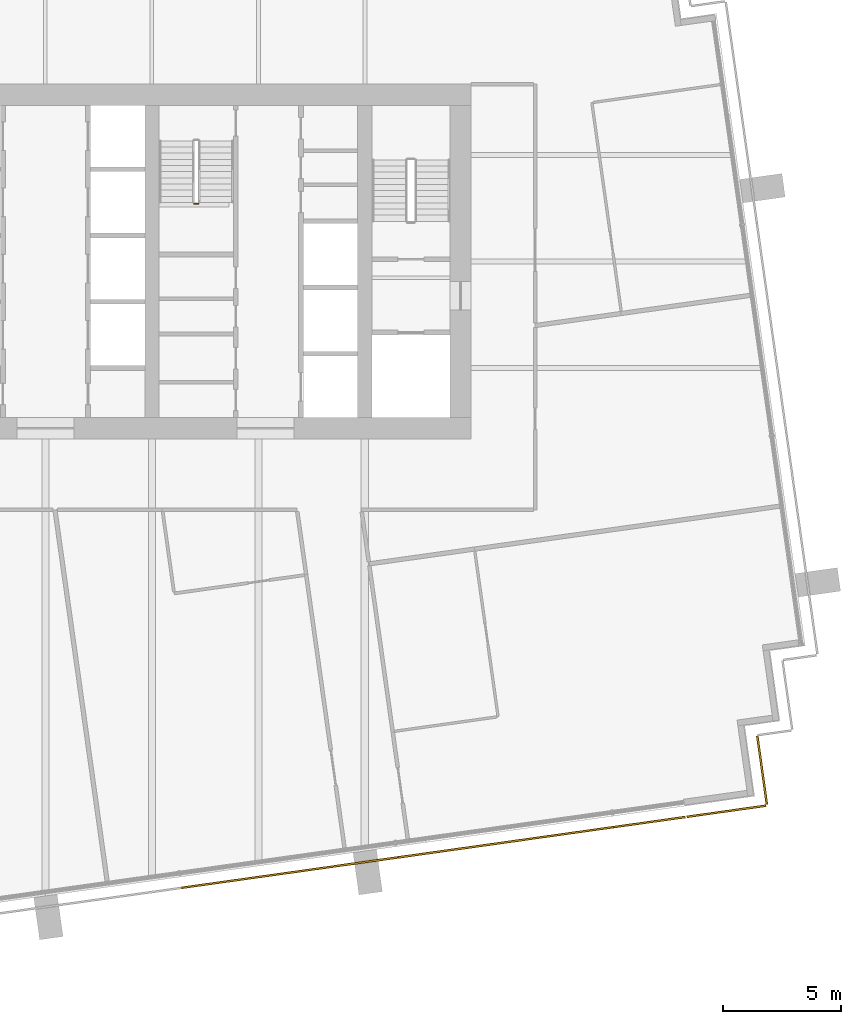
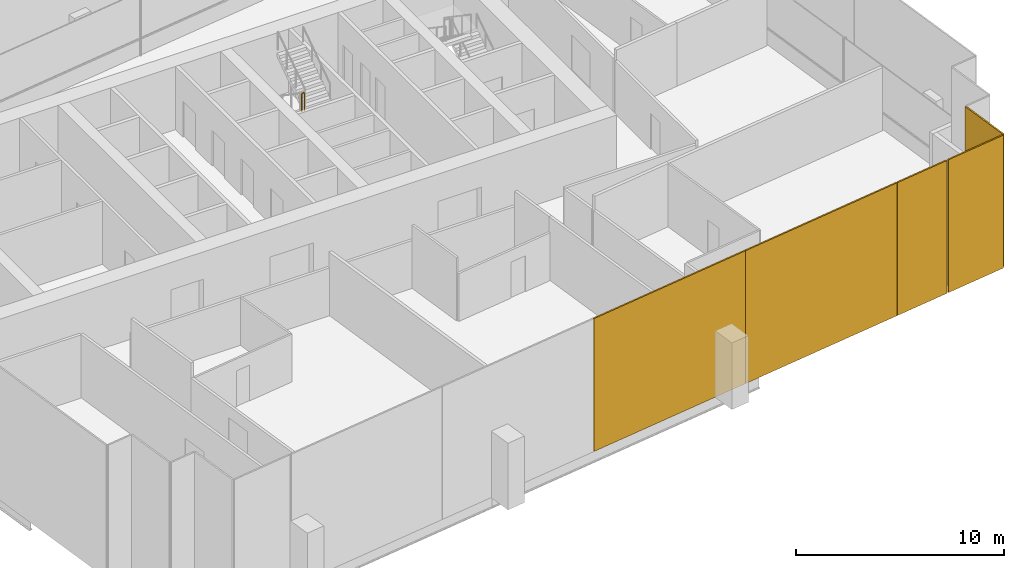
# One storey, part 14 of 17: 5 coverings, 1 railing.
"""IFC4 building model written with IfcOpenShell, lengths in metres."""

from ifc_helpers import new_model, si_unit, direction, frame, origin, origin_2d, place, context, subcontext, project, spatial, rectangle, extrude, material, layer, layer_set, type_object, element, save


model = new_model("IFC4")

# Units and contexts
model_context = context("Model", 3, precision=1e-05, world=origin(), true_north=direction((0.0, 1.0)))
body_context = subcontext(model_context, "Body", "Model", "MODEL_VIEW")
ifc_project = project(units=[si_unit("LENGTHUNIT", "METRE"), si_unit("AREAUNIT", "SQUARE_METRE"), si_unit("VOLUMEUNIT", "CUBIC_METRE"), si_unit("PLANEANGLEUNIT", "RADIAN"), si_unit("MASSUNIT", "GRAM", prefix="KILO")], contexts=[model_context])

# Site, building, storey
site_placement = place(None, origin())
site = spatial("IfcSite", under=ifc_project, at=site_placement, CompositionType="ELEMENT")
building_placement = place(site_placement, origin())
building = spatial("IfcBuilding", under=site, at=building_placement, Name="Rattan Terrace Tower", CompositionType="ELEMENT")
storey_placement = place(building_placement, frame((0.0, 0.0, 236.89990234375)))
storey = spatial("IfcBuildingStorey", under=building, at=storey_placement, Name="L54", CompositionType="ELEMENT", Elevation=236.89990234375)

# Railing
ifc_material_1 = material(Name="Powder-coated steel guard", Category="steel")
railing_type = type_object("IfcRailingType", Name="Core stair guard", PredefinedType="GUARDRAIL", material=ifc_material_1)
railing_placement = place(storey_placement, frame((6.300048828125, 2.449951171875, 1.9501953125)))
element("IfcRailing", 1, at=railing_placement, inside=storey, type_object=railing_type, Name="L54 S3 stair guard 2", PredefinedType="GUARDRAIL", context=body_context, shape_type="SweptSolid", body=[
    extrude(rectangle(XDim=0.048095703125, YDim=0.048095703125, at=origin_2d()), frame((0.0, 0.0, 1.076171875), z_axis=(1.0, 0.0, 0.0), x_axis=(0.0, 1.0, 0.0)), (0.0, 0.0, 1.0), 0.14990234375),
    extrude(rectangle(XDim=0.0419921875, YDim=0.0419921875, at=origin_2d()), origin(), (0.0, 0.0, 1.0), 1.052001953125),
    extrude(rectangle(XDim=0.0419921875, YDim=0.0419921875, at=origin_2d()), frame((0.14990234375, 0.0, 0.0)), (0.0, 0.0, 1.0), 1.052001953125),
])

# Coverings
ifc_material_2 = material(Name="Perforated terracotta", Category="masonry")
ifc_layer = layer(ifc_material_2, 0.080078125)
ifc_layer_set = layer_set([ifc_layer], Name="Facade Terracotta Screen Panel HZ")
covering_type = type_object("IfcCoveringType", Name="Facade Terracotta Screen Panel HZ", PredefinedType="CLADDING", material=ifc_layer_set)
covering_1_placement = place(storey_placement, frame((28.791259765625, -23.2421875, -0.18994140625), z_axis=(0.0, 0.0, 1.0), x_axis=(0.990247240581, 0.139321220646, 0.0)))
element("IfcCovering", 2, at=covering_1_placement, inside=storey, type_object=covering_type, Name="OUTER SKIN panel L54-1", PredefinedType="CLADDING", context=body_context, shape_type="SweptSolid", body=[
    extrude(rectangle(XDim=3.3701171875, YDim=0.080078125, at=origin_2d()), origin(), (0.0, 0.0, 1.0), 7.780029296875),
])
covering_2_placement = place(storey_placement, frame((30.299560546875, -21.505126953125, -0.18994140625), z_axis=(0.0, 0.0, 1.0), x_axis=(-0.138994363123, 0.990293172258, 0.0)))
element("IfcCovering", 3, at=covering_2_placement, inside=storey, type_object=covering_type, Name="OUTER SKIN panel L54-2", PredefinedType="CLADDING", context=body_context, shape_type="SweptSolid", body=[
    extrude(rectangle(XDim=2.919921875, YDim=0.080078125, at=origin_2d()), origin(), (0.0, 0.0, 1.0), 7.780029296875),
])
for number, where, z_axis, x_axis, name in (
    (4, (10.325927734375, -25.837646484375, -0.18994140625), (0.0, 0.0, 1.0), (0.990267457022, 0.139177453499, 0.0), "OUTER SKIN panel L54-34"),
    (5, (19.467041015625, -24.552978515625, -0.18994140625), (0.0, 0.0, 1.0), (0.990267457022, 0.139177453499, 0.0), "OUTER SKIN panel L54-35"),
):
    element("IfcCovering", number, at=place(storey_placement, frame(where, z_axis=z_axis, x_axis=x_axis)), inside=storey, type_object=covering_type, Name=name, PredefinedType="CLADDING", context=body_context, shape_type="SweptSolid", body=[
        extrude(rectangle(XDim=9.2109375, YDim=0.080078125, at=origin_2d()), origin(), (0.0, 0.0, 1.0), 7.780029296875),
    ])
covering_3_placement = place(storey_placement, frame((25.54541015625, -23.69873046875, -0.18994140625), z_axis=(0.0, 0.0, 1.0), x_axis=(0.990267457022, 0.139177453499, 0.0)))
element("IfcCovering", 6, at=covering_3_placement, inside=storey, type_object=covering_type, Name="OUTER SKIN panel L54-36", PredefinedType="CLADDING", context=body_context, shape_type="SweptSolid", body=[
    extrude(rectangle(XDim=3.025390625, YDim=0.080078125, at=origin_2d()), origin(), (0.0, 0.0, 1.0), 7.780029296875),
])

save(model, "model.ifc")
